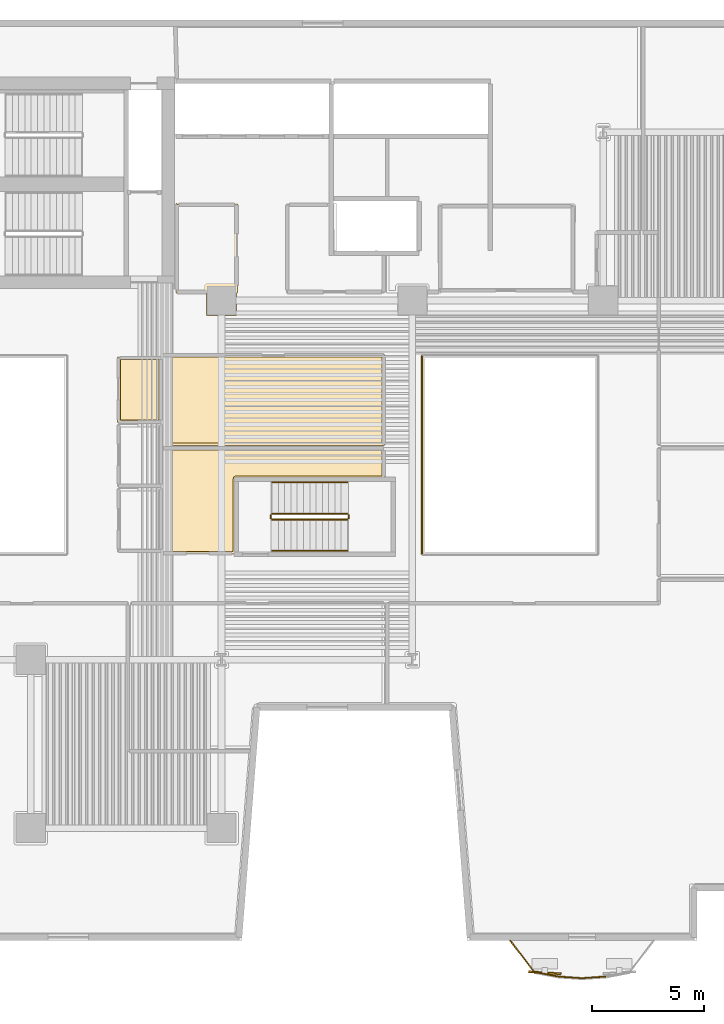
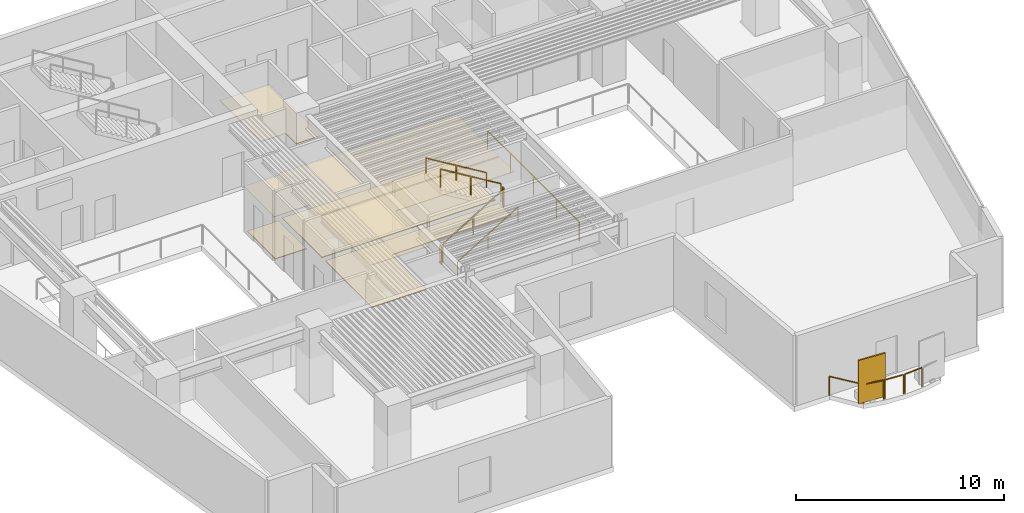
# One storey, part 8 of 11: 11 railings, 7 coverings, 1 shading device.
"""IFC4 building model written with IfcOpenShell, lengths in metres."""

from ifc_helpers import new_model, si_unit, direction, frame, origin, origin_2d, place, context, subcontext, project, spatial, polyline, rectangle, outline, extrude, material, layer, layer_set, type_object, element, save


model = new_model("IFC4")

# Units and contexts
model_context = context("Model", 3, precision=1e-05, world=origin(), true_north=direction((0.0, 1.0)))
body_context = subcontext(model_context, "Body", "Model", "MODEL_VIEW")
ifc_project = project(units=[si_unit("LENGTHUNIT", "METRE"), si_unit("AREAUNIT", "SQUARE_METRE"), si_unit("VOLUMEUNIT", "CUBIC_METRE"), si_unit("PLANEANGLEUNIT", "RADIAN"), si_unit("MASSUNIT", "GRAM", prefix="KILO")], contexts=[model_context])

# Site, building, storey
site_placement = place(None, origin())
site = spatial("IfcSite", under=ifc_project, at=site_placement, CompositionType="ELEMENT")
building_placement = place(site_placement, origin())
building = spatial("IfcBuilding", under=site, at=building_placement, Name="Caeloran Harvest Quay", CompositionType="ELEMENT")
storey_placement = place(building_placement, frame((0.0, 0.0, 66.60009765625)))
storey = spatial("IfcBuildingStorey", under=building, at=storey_placement, Name="L15", CompositionType="ELEMENT", Elevation=66.60009765625)

# Coverings
ifc_material_1 = material(Name="Perforated Mineral-Fibre Acoustic Ceiling Tile", Category="ceiling")
ifc_layer_1 = layer(ifc_material_1, 0.0400390625, Name="Perforated Mineral-Fibre Acoustic Ceiling Tile")
ifc_layer_set_1 = layer_set([ifc_layer_1], Name="Perforated Mineral-Fibre Acoustic Ceiling Tile")
covering_type_1 = type_object("IfcCoveringType", Name="COV-CEILING-ACOUSTIC", PredefinedType="CEILING", material=ifc_layer_set_1)
covering_1_placement = place(storey_placement, frame((0.0, 0.0, 2.599853515625)))
element("IfcCovering", 1, at=covering_1_placement, inside=storey, type_object=covering_type_1, Name="L15 Male Washroom WC Acoustic Ceiling", PredefinedType="CEILING", context=body_context, shape_type="SweptSolid", body=[
    extrude(outline(polyline([(22.840087890625, 25.56005859375), (20.8701171875, 25.56005859375), (20.8701171875, 28.489990234375), (22.840087890625, 28.489990234375), (22.840087890625, 25.56005859375)])), origin(), (0.0, 0.0, 1.0), 0.0400390625),
])
covering_2_placement = place(storey_placement, frame((0.0, 0.0, 2.599853515625)))
element("IfcCovering", 2, at=covering_2_placement, inside=storey, type_object=covering_type_1, Name="Compliance Office Acoustic Ceiling", PredefinedType="CEILING", context=body_context, shape_type="SweptSolid", body=[
    extrude(outline(polyline([(26.139892578125, 23.06005859375), (26.139892578125, 19.7099609375), (22.8701171875, 19.7099609375), (22.8701171875, 24.4599609375), (32.760009765625, 24.4599609375), (32.760009765625, 23.06005859375), (26.139892578125, 23.06005859375)])), origin(), (0.0, 0.0, 1.0), 0.0400390625),
])
covering_3_placement = place(storey_placement, frame((0.0, 0.0, 2.599853515625)))
element("IfcCovering", 3, at=covering_3_placement, inside=storey, type_object=covering_type_1, Name="Harvest Briefing Conference Room Acoustic Ceiling", PredefinedType="CEILING", context=body_context, shape_type="SweptSolid", body=[
    extrude(outline(polyline([(22.8701171875, 28.512939453125), (22.85009765625, 28.52001953125), (22.85009765625, 28.610107421875), (32.760009765625, 28.610107421875), (32.760009765625, 24.5400390625), (22.8701171875, 24.5400390625), (22.8701171875, 28.512939453125)])), origin(), (0.0, 0.0, 1.0), 0.0400390625),
])
covering_4_placement = place(storey_placement, frame((0.0, 0.0, 2.599853515625)))
element("IfcCovering", 4, at=covering_4_placement, inside=storey, type_object=covering_type_1, Name="Dwarf Citrus Mezzanine Growing Hall 9 Acoustic Ceiling", PredefinedType="CEILING", context=body_context, shape_type="SweptSolid", body=[
    extrude(outline(polyline([(26.169921875, 30.330078125), (24.830078125, 30.330078125), (24.830078125, 31.340087890625), (23.469970703125, 31.340087890625), (23.469970703125, 35.32861328125), (23.521728515625, 35.31005859375), (26.2099609375, 35.31005859375), (26.2099609375, 31.340087890625), (26.169921875, 31.340087890625), (26.169921875, 30.330078125)])), origin(), (0.0, 0.0, 1.0), 0.0400390625),
])
ifc_material_2 = material(Name="Calcium-Sulphate Raised Access Floor and Terrazzo Finish", Category="flooring")
ifc_layer_2 = layer(ifc_material_2, 0.050048828125, Name="Calcium-Sulphate Raised Access Floor and Terrazzo Finish")
ifc_layer_set_2 = layer_set([ifc_layer_2], Name="Calcium-Sulphate Raised Access Floor and Terrazzo Finish")
covering_type_2 = type_object("IfcCoveringType", Name="COV-FLOOR-RAISED", PredefinedType="FLOORING", material=ifc_layer_set_2)
covering_5_placement = place(storey_placement, origin())
element("IfcCovering", 5, at=covering_5_placement, inside=storey, type_object=covering_type_2, Name="L15 Male Washroom WC Raised Finish Flooring", PredefinedType="FLOORING", context=body_context, shape_type="SweptSolid", body=[
    extrude(outline(polyline([(22.719970703125, 25.679931640625), (20.989990234375, 25.679931640625), (20.989990234375, 28.3701171875), (22.719970703125, 28.3701171875), (22.719970703125, 25.679931640625)])), origin(), (0.0, 0.0, 1.0), 0.0498046875),
])
covering_6_placement = place(storey_placement, origin())
element("IfcCovering", 6, at=covering_6_placement, inside=storey, type_object=covering_type_2, Name="Compliance Office Raised Finish Flooring", PredefinedType="FLOORING", context=body_context, shape_type="SweptSolid", body=[
    extrude(outline(polyline([(26.101806640625, 23.17626953125), (26.04248046875, 23.13671875), (26.02001953125, 23.070068359375), (26.02001953125, 19.830078125), (22.989990234375, 19.830078125), (22.989990234375, 24.340087890625), (32.639892578125, 24.340087890625), (32.639892578125, 23.179931640625), (26.101806640625, 23.17626953125)])), origin(), (0.0, 0.0, 1.0), 0.0498046875),
])
covering_7_placement = place(storey_placement, origin())
element("IfcCovering", 7, at=covering_7_placement, inside=storey, type_object=covering_type_2, Name="Harvest Briefing Conference Room Raised Finish Flooring", PredefinedType="FLOORING", context=body_context, shape_type="SweptSolid", body=[
    extrude(outline(polyline([(22.989990234375, 28.489990234375), (32.639892578125, 28.489990234375), (32.639892578125, 24.659912109375), (22.989990234375, 24.659912109375), (22.989990234375, 28.489990234375)])), origin(), (0.0, 0.0, 1.0), 0.0498046875),
])

# Railings
ifc_material_3 = material(Name="Powder-Coated Steel Post and Laminated Glass Guardrail", Category="steel")
ifc_layer_3 = layer(ifc_material_3, 0.06005859375, Name="Powder-Coated Steel Post and Laminated Glass Guardrail")
ifc_layer_set_3 = layer_set([ifc_layer_3], Name="Powder-Coated Steel Post and Laminated Glass Guardrail")
railing_type_1 = type_object("IfcRailingType", Name="GUARD-ATRIUM-1150", PredefinedType="GUARDRAIL", material=ifc_layer_set_3)
railing_1_placement = place(storey_placement, frame((34.429931640625, 28.5380859375, 0.0)))
element("IfcRailing", 8, at=railing_1_placement, inside=storey, type_object=railing_type_1, Name="L15 East Botanical Lightwell Guardrail Seg 4", PredefinedType="GUARDRAIL", context=body_context, shape_type="SweptSolid", body=[
    extrude(rectangle(XDim=0.048095703125, YDim=0.048095703125, at=origin_2d()), frame((0.0, 0.0, 1.1259765625), z_axis=(0.0, -1.0, 0.0), x_axis=(1.0, 0.0, 0.0)), (0.0, 0.0, 1.0), 8.826171875),
    extrude(rectangle(XDim=0.0419921875, YDim=0.0419921875, at=origin_2d()), origin(), (0.0, 0.0, 1.0), 1.101806640625),
    extrude(rectangle(XDim=0.0419921875, YDim=0.0419921875, at=origin_2d()), frame((0.0, -2.20654296875, 0.0)), (0.0, 0.0, 1.0), 1.101806640625),
    extrude(rectangle(XDim=0.0419921875, YDim=0.0419921875, at=origin_2d()), frame((0.0, -4.4130859375, 0.0)), (0.0, 0.0, 1.0), 1.101806640625),
    extrude(rectangle(XDim=0.0419921875, YDim=0.0419921875, at=origin_2d()), frame((0.0, -6.61962890625, 0.0)), (0.0, 0.0, 1.0), 1.101806640625),
    extrude(rectangle(XDim=0.0419921875, YDim=0.0419921875, at=origin_2d()), frame((0.0, -8.826171875, 0.0)), (0.0, 0.0, 1.0), 1.101806640625),
])
ifc_material_4 = material(Name="Laminated Safety Glass and Stainless Steel 316", Category="steel")
ifc_layer_4 = layer(ifc_material_4, 0.06005859375, Name="Laminated Safety Glass and Stainless Steel 316")
ifc_layer_set_4 = layer_set([ifc_layer_4], Name="Laminated Safety Glass and Stainless Steel 316")
railing_type_2 = type_object("IfcRailingType", Name="GUARD-BALUSTRADE-1150", PredefinedType="BALUSTRADE", material=ifc_layer_set_4)
railing_2_placement = place(storey_placement, frame((42.5908203125, 0.8876953125, 0.0)))
element("IfcRailing", 9, at=railing_2_placement, inside=storey, type_object=railing_type_2, Name="L15 Planted Balcony Perimeter Balustrade Guard Seg 3", PredefinedType="BALUSTRADE", context=body_context, shape_type="SweptSolid", body=[
    extrude(rectangle(XDim=0.048095703125, YDim=0.048095703125, at=origin_2d()), frame((0.0, 0.0, 1.1259765625), z_axis=(-0.997573528379, -0.069620797735, 0.0), x_axis=(0.069620797735, -0.997573528379, 0.0)), (0.0, 0.0, 1.0), 1.0029296875),
    extrude(rectangle(XDim=0.0419921875, YDim=0.0419921875, at=origin_2d()), origin(), (0.0, 0.0, 1.0), 1.101806640625),
    extrude(rectangle(XDim=0.0419921875, YDim=0.0419921875, at=origin_2d()), frame((-1.00048828125, -0.06982421875, 0.0)), (0.0, 0.0, 1.0), 1.101806640625),
])
railing_3_placement = place(storey_placement, frame((41.526611328125, 0.81787109375, 0.0)))
element("IfcRailing", 10, at=railing_3_placement, inside=storey, type_object=railing_type_2, Name="L15 Planted Balcony Perimeter Balustrade Guard Seg 4", PredefinedType="BALUSTRADE", context=body_context, shape_type="SweptSolid", body=[
    extrude(rectangle(XDim=0.048095703125, YDim=0.048095703125, at=origin_2d()), frame((0.0, 0.0, 1.1259765625), z_axis=(-0.997573528379, 0.069620797735, 0.0), x_axis=(-0.069620797735, -0.997573528379, 0.0)), (0.0, 0.0, 1.0), 1.0029296875),
    extrude(rectangle(XDim=0.0419921875, YDim=0.0419921875, at=origin_2d()), origin(), (0.0, 0.0, 1.0), 1.101806640625),
    extrude(rectangle(XDim=0.0419921875, YDim=0.0419921875, at=origin_2d()), frame((-1.00048828125, 0.06982421875, 0.0)), (0.0, 0.0, 1.0), 1.101806640625),
])
railing_4_placement = place(storey_placement, frame((40.462890625, 0.89599609375, 0.0)))
element("IfcRailing", 11, at=railing_4_placement, inside=storey, type_object=railing_type_2, Name="L15 Planted Balcony Perimeter Balustrade Guard Seg 5", PredefinedType="BALUSTRADE", context=body_context, shape_type="SweptSolid", body=[
    extrude(rectangle(XDim=0.048095703125, YDim=0.048095703125, at=origin_2d()), frame((0.0, 0.0, 1.1259765625), z_axis=(-0.982300809126, 0.187310225003, 0.0), x_axis=(-0.187310225003, -0.982300809126, 0.0)), (0.0, 0.0, 1.0), 1.019287109375),
    extrude(rectangle(XDim=0.0419921875, YDim=0.0419921875, at=origin_2d()), origin(), (0.0, 0.0, 1.0), 1.101806640625),
    extrude(rectangle(XDim=0.0419921875, YDim=0.0419921875, at=origin_2d()), frame((-1.001220703125, 0.19091796875, 0.0)), (0.0, 0.0, 1.0), 1.101806640625),
])
railing_5_placement = place(storey_placement, frame((39.41064453125, 1.1181640625, 0.0)))
element("IfcRailing", 12, at=railing_5_placement, inside=storey, type_object=railing_type_2, Name="L15 Planted Balcony Perimeter Balustrade Guard Seg 6", PredefinedType="BALUSTRADE", context=body_context, shape_type="SweptSolid", body=[
    extrude(rectangle(XDim=0.048095703125, YDim=0.048095703125, at=origin_2d()), frame((0.0, 0.0, 1.1259765625), z_axis=(-0.608658470771, 0.793432332312, 0.0), x_axis=(-0.793432332312, -0.608658470771, 0.0)), (0.0, 0.0, 1.0), 1.71630859375),
    extrude(rectangle(XDim=0.0419921875, YDim=0.0419921875, at=origin_2d()), origin(), (0.0, 0.0, 1.0), 1.101806640625),
    extrude(rectangle(XDim=0.0419921875, YDim=0.0419921875, at=origin_2d()), frame((-1.044677734375, 1.36181640625, 0.0)), (0.0, 0.0, 1.0), 1.101806640625),
])

# Shading device
ifc_material_5 = material(Name="3003-H14 Perforated Powder-Coated Aluminium", Category="aluminium")
shading_device_type = type_object("IfcShadingDeviceType", Name="SHADE-SCREEN-FOLDED", PredefinedType="USERDEFINED", material=ifc_material_5)
shading_device_placement = place(storey_placement, frame((39.8984375, 1.056396484375, 0.07470703125), z_axis=(0.0, 0.0, 1.0), x_axis=(0.997801468292, -0.0662739004, 0.0)))
element("IfcShadingDevice", 13, at=shading_device_placement, inside=storey, type_object=shading_device_type, Name="L15 Folded Facade Breathing Screen 2", ObjectType="SCREEN", PredefinedType="USERDEFINED", context=body_context, shape_type="SweptSolid", body=[
    extrude(rectangle(XDim=1.449951171875, YDim=0.080078125, at=origin_2d()), origin(), (0.0, 0.0, 1.0), 2.550048828125),
])

# Railings
ifc_material_6 = material(Name="Painted Steel Baluster and Top-Rail Stair Guard", Category="steel")
ifc_layer_5 = layer(ifc_material_6, 0.050048828125, Name="Painted Steel Baluster and Top-Rail Stair Guard")
ifc_layer_set_5 = layer_set([ifc_layer_5], Name="Painted Steel Baluster and Top-Rail Stair Guard")
railing_type_3 = type_object("IfcRailingType", Name="STAIR-GUARD-1100", PredefinedType="GUARDRAIL", material=ifc_layer_set_5)
railing_6_placement = place(storey_placement, frame((27.75, 21.25, 0.169189453125)))
element("IfcRailing", 14, at=railing_6_placement, inside=storey, type_object=railing_type_3, Name="L15 ST-W1 stair guard 1", PredefinedType="GUARDRAIL", context=body_context, shape_type="SweptSolid", body=[
    extrude(rectangle(XDim=0.048095703125, YDim=0.048095703125, at=origin_2d()), frame((0.0, 0.0, 1.076171875), z_axis=(0.855836976705, 0.0, 0.517245656632), x_axis=(0.0, 1.0, 0.0)), (0.0, 0.0, 1.0), 3.926025390625),
    extrude(rectangle(XDim=0.0419921875, YDim=0.0419921875, at=origin_2d()), origin(), (0.0, 0.0, 1.0), 1.052001953125),
    extrude(rectangle(XDim=0.0419921875, YDim=0.0419921875, at=origin_2d()), frame((1.68017578125, 0.0, 1.015380859375)), (0.0, 0.0, 1.0), 1.052001953125),
    extrude(rectangle(XDim=0.0419921875, YDim=0.0419921875, at=origin_2d()), frame((3.360107421875, 0.0, 2.03076171875)), (0.0, 0.0, 1.0), 1.052001953125),
])
railing_7_placement = place(storey_placement, frame((31.159912109375, 21.300048828125, 2.199951171875)))
element("IfcRailing", 15, at=railing_7_placement, inside=storey, type_object=railing_type_3, Name="L15 ST-W1 stair guard 2", PredefinedType="GUARDRAIL", context=body_context, shape_type="SweptSolid", body=[
    extrude(rectangle(XDim=0.048095703125, YDim=0.048095703125, at=origin_2d()), frame((0.0, 0.0, 1.076171875), z_axis=(0.0, 1.0, 0.0), x_axis=(-1.0, 0.0, 0.0)), (0.0, 0.0, 1.0), 0.14990234375),
    extrude(rectangle(XDim=0.0419921875, YDim=0.0419921875, at=origin_2d()), origin(), (0.0, 0.0, 1.0), 1.052001953125),
    extrude(rectangle(XDim=0.0419921875, YDim=0.0419921875, at=origin_2d()), frame((0.0, 0.14990234375, 0.0)), (0.0, 0.0, 1.0), 1.052001953125),
])
railing_8_placement = place(storey_placement, frame((31.110107421875, 21.5, 2.369140625)))
element("IfcRailing", 16, at=railing_8_placement, inside=storey, type_object=railing_type_3, Name="L15 ST-W1 stair guard 3", PredefinedType="GUARDRAIL", context=body_context, shape_type="SweptSolid", body=[
    extrude(rectangle(XDim=0.048095703125, YDim=0.048095703125, at=origin_2d()), frame((0.0, 0.0, 1.076171875), z_axis=(-0.855836976705, 0.0, 0.517245656632), x_axis=(0.0, -1.0, 0.0)), (0.0, 0.0, 1.0), 3.926025390625),
    extrude(rectangle(XDim=0.0419921875, YDim=0.0419921875, at=origin_2d()), origin(), (0.0, 0.0, 1.0), 1.052001953125),
    extrude(rectangle(XDim=0.0419921875, YDim=0.0419921875, at=origin_2d()), frame((-1.68017578125, 0.0, 1.015380859375)), (0.0, 0.0, 1.0), 1.052001953125),
    extrude(rectangle(XDim=0.0419921875, YDim=0.0419921875, at=origin_2d()), frame((-3.360107421875, 0.0, 2.03076171875)), (0.0, 0.0, 1.0), 1.052001953125),
])
railing_9_placement = place(storey_placement, frame((27.699951171875, 21.300048828125, 0.0)))
element("IfcRailing", 17, at=railing_9_placement, inside=storey, type_object=railing_type_3, Name="L15 ST-W1 stair guard 4", PredefinedType="GUARDRAIL", context=body_context, shape_type="SweptSolid", body=[
    extrude(rectangle(XDim=0.048095703125, YDim=0.048095703125, at=origin_2d()), frame((0.0, 0.0, 1.076171875), z_axis=(0.0, 1.0, 0.0), x_axis=(-1.0, 0.0, 0.0)), (0.0, 0.0, 1.0), 0.14990234375),
    extrude(rectangle(XDim=0.0419921875, YDim=0.0419921875, at=origin_2d()), origin(), (0.0, 0.0, 1.0), 1.052001953125),
    extrude(rectangle(XDim=0.0419921875, YDim=0.0419921875, at=origin_2d()), frame((0.0, 0.14990234375, 0.0)), (0.0, 0.0, 1.0), 1.052001953125),
])
ifc_material_7 = material(Name="Brushed Stainless Steel Grade 304", Category="steel")
ifc_layer_6 = layer(ifc_material_7, 0.050048828125, Name="Brushed Stainless Steel Grade 304")
ifc_layer_set_6 = layer_set([ifc_layer_6], Name="Brushed Stainless Steel Grade 304")
railing_type_4 = type_object("IfcRailingType", Name="STAIR-HANDRAIL-900", PredefinedType="HANDRAIL", material=ifc_layer_set_6)
railing_10_placement = place(storey_placement, frame((27.75, 19.85009765625, 0.169189453125)))
element("IfcRailing", 18, at=railing_10_placement, inside=storey, type_object=railing_type_4, Name="L15 ST-W1 stair handrail 1", PredefinedType="HANDRAIL", context=body_context, shape_type="SweptSolid", body=[
    extrude(rectangle(XDim=0.048095703125, YDim=0.048095703125, at=origin_2d()), frame((0.0, 0.0, 0.8759765625), z_axis=(0.855836976705, 0.0, 0.517245656632), x_axis=(0.0, 1.0, 0.0)), (0.0, 0.0, 1.0), 3.926025390625),
    extrude(rectangle(XDim=0.0419921875, YDim=0.0419921875, at=origin_2d()), origin(), (0.0, 0.0, 1.0), 0.851806640625),
    extrude(rectangle(XDim=0.0419921875, YDim=0.0419921875, at=origin_2d()), frame((1.68017578125, 0.0, 1.015380859375)), (0.0, 0.0, 1.0), 0.851806640625),
    extrude(rectangle(XDim=0.0419921875, YDim=0.0419921875, at=origin_2d()), frame((3.360107421875, 0.0, 2.03076171875)), (0.0, 0.0, 1.0), 0.851806640625),
])
railing_11_placement = place(storey_placement, frame((31.110107421875, 22.89990234375, 2.369140625)))
element("IfcRailing", 19, at=railing_11_placement, inside=storey, type_object=railing_type_4, Name="L15 ST-W1 stair handrail 2", PredefinedType="HANDRAIL", context=body_context, shape_type="SweptSolid", body=[
    extrude(rectangle(XDim=0.048095703125, YDim=0.048095703125, at=origin_2d()), frame((0.0, 0.0, 0.8759765625), z_axis=(-0.855836976705, 0.0, 0.517245656632), x_axis=(0.0, -1.0, 0.0)), (0.0, 0.0, 1.0), 3.926025390625),
    extrude(rectangle(XDim=0.0419921875, YDim=0.0419921875, at=origin_2d()), origin(), (0.0, 0.0, 1.0), 0.851806640625),
    extrude(rectangle(XDim=0.0419921875, YDim=0.0419921875, at=origin_2d()), frame((-1.68017578125, 0.0, 1.015380859375)), (0.0, 0.0, 1.0), 0.851806640625),
    extrude(rectangle(XDim=0.0419921875, YDim=0.0419921875, at=origin_2d()), frame((-3.360107421875, 0.0, 2.03076171875)), (0.0, 0.0, 1.0), 0.851806640625),
])

save(model, "model.ifc")
